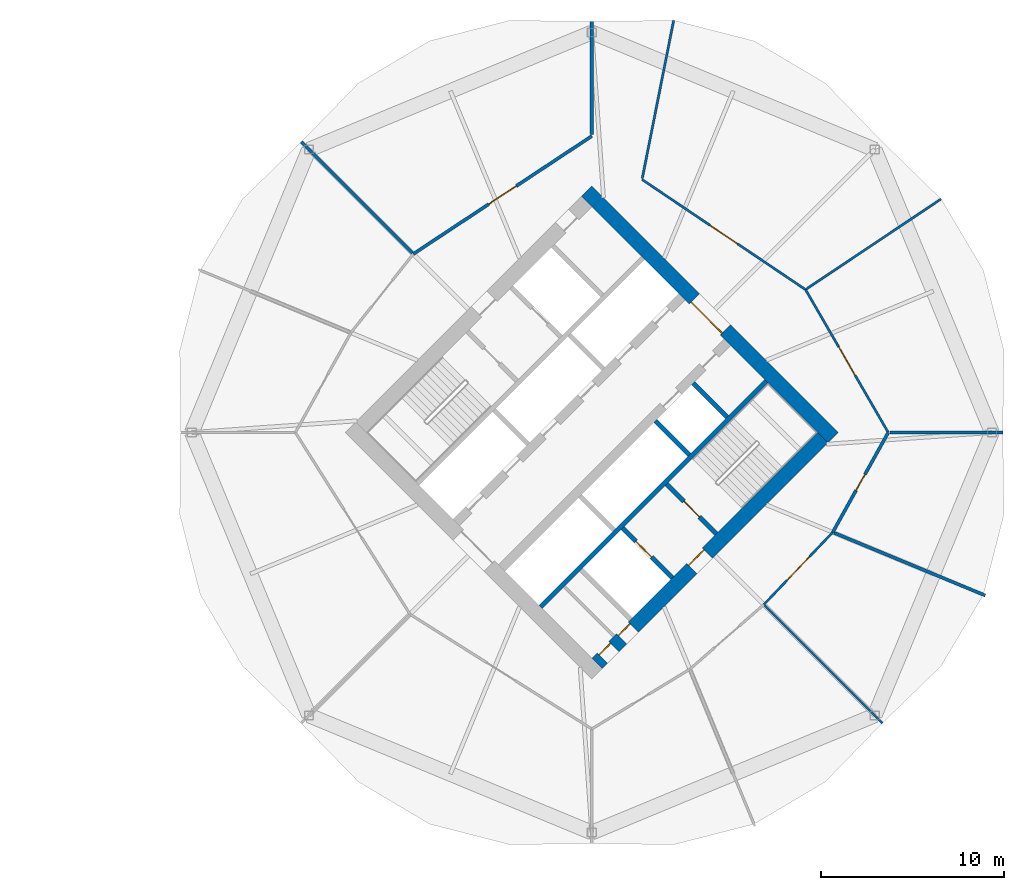
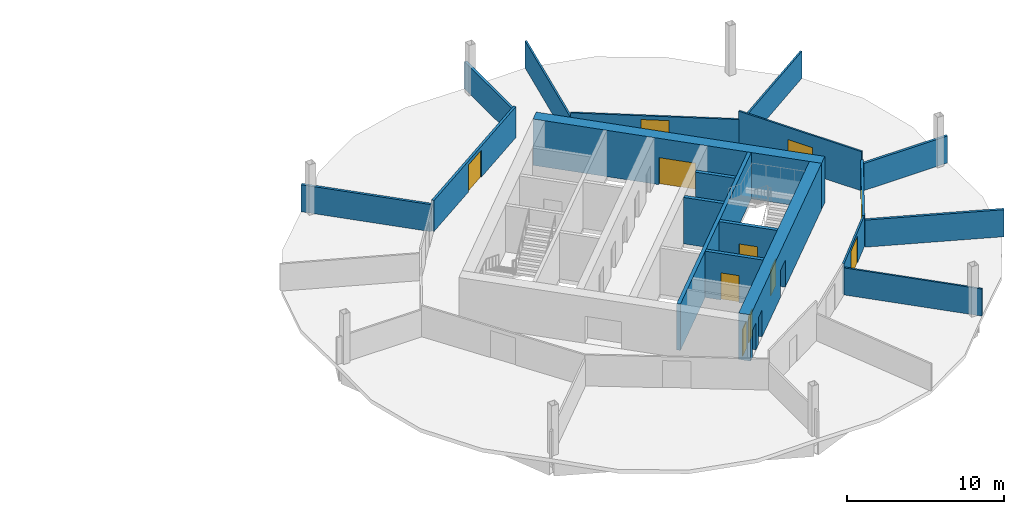
# One storey, part 7 of 9: 19 walls, 11 doors, 11 openings.
"""IFC4 building model written with IfcOpenShell, lengths in metres."""

from ifc_helpers import new_model, si_unit, direction, frame, frame_2d, origin, place, context, subcontext, project, spatial, rectangle, extrude, material, layer, layer_set, type_object, element, fill, save


model = new_model("IFC4")

# Units and contexts
model_context = context("Model", 3, precision=1e-05, world=origin(), true_north=direction((0.0, 1.0)))
body_context = subcontext(model_context, "Body", "Model", "MODEL_VIEW")
ifc_project = project(units=[si_unit("LENGTHUNIT", "METRE"), si_unit("AREAUNIT", "SQUARE_METRE"), si_unit("VOLUMEUNIT", "CUBIC_METRE"), si_unit("PLANEANGLEUNIT", "RADIAN"), si_unit("MASSUNIT", "GRAM", prefix="KILO")], contexts=[model_context])

# Site, building, storey
site_placement = place(None, origin())
site = spatial("IfcSite", under=ifc_project, at=site_placement, CompositionType="ELEMENT")
building_placement = place(site_placement, origin())
building = spatial("IfcBuilding", under=site, at=building_placement, Name="Ogive Gate Towers", CompositionType="ELEMENT")
storey_placement = place(building_placement, frame((0.0, 0.0, 40.199951171875)))
storey = spatial("IfcBuildingStorey", under=building, at=storey_placement, Name="L08", CompositionType="ELEMENT", Elevation=40.199951171875)

# Walls
ifc_material_1 = material(Name="Gypsum board acoustic partition")
ifc_layer_1 = layer(ifc_material_1, 0.175048828125)
ifc_layer_set_1 = layer_set([ifc_layer_1], Name="Acoustic partition 175")
wall_type_1 = type_object("IfcWallType", Name="Acoustic partition 175", PredefinedType="PARTITIONING", material=ifc_layer_set_1)
for number, where, z_axis, x_axis, name in (
    (1, (58.408935546875, 0.0, 0.0), (0.0, 0.0, 1.0), (-1.0, 0.0, 0.0), "Partition T2-L08-001"),
    (2, (36.0, 22.408935546875, 0.0), (0.0, 0.0, 1.0), (0.0, -1.0, 0.0), "Partition T2-L08-004"),
):
    element("IfcWall", number, at=place(storey_placement, frame(where, z_axis=z_axis, x_axis=x_axis)), inside=storey, type_object=wall_type_1, Name=name, PredefinedType="PARTITIONING", context=body_context, shape_type="SweptSolid", body=[
        extrude(rectangle(XDim=6.161376953125, YDim=0.175048828125, at=frame_2d((3.08056640625, 0.0))), origin(), (0.0, 0.0, 1.0), 2.10009765625),
    ])
wall_1_placement = place(storey_placement, frame((20.154296875, 15.845703125, 0.0), z_axis=(0.0, 0.0, 1.0), x_axis=(0.707106781187, -0.707106781187, 0.0)))
element("IfcWall", 3, at=wall_1_placement, inside=storey, type_object=wall_type_1, Name="Partition T2-L08-005", PredefinedType="PARTITIONING", context=body_context, shape_type="SweptSolid", body=[
    extrude(rectangle(XDim=8.557861328125, YDim=0.175048828125, at=frame_2d((4.27880859375, 0.0))), origin(), (0.0, 0.0, 1.0), 2.10009765625),
])
wall_2_placement = place(storey_placement, frame((57.452880859375, -8.885986328125, 0.0), z_axis=(0.0, 0.0, 1.0), x_axis=(-0.923884034118, 0.382672564344, 0.0)))
element("IfcWall", 4, at=wall_2_placement, inside=storey, type_object=wall_type_1, Name="Partition T2-L08-012", PredefinedType="PARTITIONING", context=body_context, shape_type="SweptSolid", body=[
    extrude(rectangle(XDim=8.917724609375, YDim=0.175048828125, at=frame_2d((4.458984375, 0.0))), origin(), (0.0, 0.0, 1.0), 2.10009765625),
])

# Wall, opening, door
wall_3_placement = place(storey_placement, frame((36.0, 16.159912109375, 0.0), z_axis=(0.0, 0.0, 1.0), x_axis=(-0.834464064911, -0.551062359785, 0.0)))
wall_3 = element("IfcWall", 5, at=wall_3_placement, inside=storey, type_object=wall_type_1, Name="Partition T2-L08-013", PredefinedType="PARTITIONING", context=body_context, shape_type="SweptSolid", body=[
    extrude(rectangle(XDim=11.663330078125, YDim=0.175048828125, at=frame_2d((5.83154296875, 0.0))), origin(), (0.0, 0.0, 1.0), 2.400146484375),
])
opening_1_placement = place(wall_3_placement, frame((4.931884765625, 0.0, 0.0)))
opening_1 = element("IfcOpeningElement", 6, at=opening_1_placement, cuts=wall_3, Name="Opening T2-L08-D01", PredefinedType="OPENING", context=body_context, shape_type="SweptSolid", body=[
    extrude(rectangle(XDim=1.800048828125, YDim=2.10009765625, at=frame_2d((0.89990234375, 1.050048828125))), frame((0.0, 0.09765625, 0.0), z_axis=(0.0, -1.0, 0.0), x_axis=(1.0, 0.0, 0.0)), (0.0, 0.0, 1.0), 0.195068359375),
])
ifc_material_2 = material(Name="Timber door", Category="wood")
door_type_1 = type_object("IfcDoorType", Name="Door pair 1800", OperationType="NOTDEFINED", PredefinedType="DOOR", material=ifc_material_2)
door_1_placement = place(opening_1_placement, origin())
door_1 = element("IfcDoor", 7, at=door_1_placement, inside=storey, type_object=door_type_1, Name="Door T2-L08-D01", OperationType="DOUBLE_DOOR_DOUBLE_SWING", OverallHeight=2.10009765625, OverallWidth=1.800048828125, PredefinedType="DOOR", context=body_context, shape_type="SweptSolid", body=[
    extrude(rectangle(XDim=1.800048828125, YDim=2.10009765625, at=frame_2d((0.89990234375, 1.050048828125))), frame((0.0, 0.02490234375, 0.0), z_axis=(0.0, -1.0, 0.0), x_axis=(1.0, 0.0, 0.0)), (0.0, 0.0, 1.0), 0.050048828125),
])
fill(opening_1, door_1)

wall_4_placement = place(storey_placement, frame((49.133056640625, -5.43994140625, 0.0), z_axis=(0.0, 0.0, 1.0), x_axis=(0.486215546884, 0.873838910766, 0.0)))
wall_4 = element("IfcWall", 8, at=wall_4_placement, inside=storey, type_object=wall_type_1, Name="Partition T2-L08-021", PredefinedType="PARTITIONING", context=body_context, shape_type="SweptSolid", body=[
    extrude(rectangle(XDim=6.225341796875, YDim=0.175048828125, at=frame_2d((3.11279296875, 0.0))), origin(), (0.0, 0.0, 1.0), 2.400146484375),
])
opening_2_placement = place(wall_4_placement, frame((2.613037109375, 0.0, 0.0)))
opening_2 = element("IfcOpeningElement", 9, at=opening_2_placement, cuts=wall_4, Name="Opening T2-L08-D09", PredefinedType="OPENING", context=body_context, shape_type="SweptSolid", body=[
    extrude(rectangle(XDim=1.0, YDim=2.10009765625, at=frame_2d((0.5, 1.050048828125))), frame((0.0, 0.09765625, 0.0), z_axis=(0.0, -1.0, 0.0), x_axis=(1.0, 0.0, 0.0)), (0.0, 0.0, 1.0), 0.195068359375),
])
door_type_2 = type_object("IfcDoorType", Name="Door 1000", OperationType="NOTDEFINED", PredefinedType="DOOR", material=ifc_material_2)
door_2_placement = place(opening_2_placement, origin())
door_2 = element("IfcDoor", 10, at=door_2_placement, inside=storey, type_object=door_type_2, Name="Door T2-L08-D09", OperationType="SINGLE_SWING_RIGHT", OverallHeight=2.10009765625, OverallWidth=1.0, PredefinedType="DOOR", context=body_context, shape_type="SweptSolid", body=[
    extrude(rectangle(XDim=1.0, YDim=2.10009765625, at=frame_2d((0.5, 1.050048828125))), frame((0.0, 0.02490234375, 0.0), z_axis=(0.0, -1.0, 0.0), x_axis=(1.0, 0.0, 0.0)), (0.0, 0.0, 1.0), 0.050048828125),
])
fill(opening_2, door_2)

# Wall, openings, doors
ifc_material_3 = material(Name="Concrete C60/75", Category="concrete")
ifc_layer_2 = layer(ifc_material_3, 0.800048828125)
ifc_layer_set_2 = layer_set([ifc_layer_2], Name="Core wall 800 mm")
wall_type_2 = type_object("IfcWallType", Name="Core wall 800 mm", PredefinedType="SHEAR", material=ifc_layer_set_2)
wall_5_placement = place(storey_placement, frame((36.28271484375, -12.58642578125, 0.0), z_axis=(0.0, 0.0, 1.0), x_axis=(0.707106781187, 0.707106781187, 0.0)))
wall_5 = element("IfcWall", 11, at=wall_5_placement, inside=storey, type_object=wall_type_2, Name="T2 L08 Core wall 800 mm", PredefinedType="SHEAR", context=body_context, shape_type="SweptSolid", body=[
    extrude(rectangle(XDim=17.400146484375, YDim=0.800048828125, at=frame_2d((8.7001953125, 0.0))), origin(), (0.0, 0.0, 1.0), 3.60009765625),
])
opening_3_placement = place(wall_5_placement, frame((7.300048828125, 0.0, 0.0)))
opening_3 = element("IfcOpeningElement", 12, at=opening_3_placement, cuts=wall_5, Name="Opening KD-T2-L08-16", PredefinedType="OPENING", context=body_context, shape_type="SweptSolid", body=[
    extrude(rectangle(XDim=1.199951171875, YDim=2.10009765625, at=frame_2d((0.60009765625, 1.050048828125))), frame((0.0, 0.41015625, 0.0), z_axis=(0.0, -1.0, 0.0), x_axis=(1.0, 0.0, 0.0)), (0.0, 0.0, 1.0), 0.820068359375),
])
opening_4_placement = place(wall_5_placement, frame((0.39990234375, 0.0, 0.0)))
opening_4 = element("IfcOpeningElement", 13, at=opening_4_placement, cuts=wall_5, Name="Opening KD-T2-L08-18", PredefinedType="OPENING", context=body_context, shape_type="SweptSolid", body=[
    extrude(rectangle(XDim=0.89990234375, YDim=2.10009765625, at=frame_2d((0.449951171875, 1.050048828125))), frame((0.0, 0.41015625, 0.0), z_axis=(0.0, -1.0, 0.0), x_axis=(1.0, 0.0, 0.0)), (0.0, 0.0, 1.0), 0.820068359375),
])
opening_5_placement = place(wall_5_placement, frame((1.89990234375, 0.0, 0.0)))
opening_5 = element("IfcOpeningElement", 14, at=opening_5_placement, cuts=wall_5, Name="Opening KD-T2-L08-19", PredefinedType="OPENING", context=body_context, shape_type="SweptSolid", body=[
    extrude(rectangle(XDim=0.89990234375, YDim=2.10009765625, at=frame_2d((0.449951171875, 1.050048828125))), frame((0.0, 0.41015625, 0.0), z_axis=(0.0, -1.0, 0.0), x_axis=(1.0, 0.0, 0.0)), (0.0, 0.0, 1.0), 0.820068359375),
])
door_type_3 = type_object("IfcDoorType", Name="Core WC door 900 x 2100", OperationType="NOTDEFINED", PredefinedType="DOOR", material=ifc_material_2)
door_3_placement = place(opening_4_placement, origin())
door_3 = element("IfcDoor", 15, at=door_3_placement, inside=storey, type_object=door_type_3, Name="T2 L08 Core door", OperationType="SINGLE_SWING_LEFT", OverallHeight=2.10009765625, OverallWidth=0.89990234375, PredefinedType="DOOR", context=body_context, shape_type="SweptSolid", body=[
    extrude(rectangle(XDim=0.89990234375, YDim=2.10009765625, at=frame_2d((0.449951171875, 1.050048828125))), frame((0.0, 0.27490234375, 0.0), z_axis=(0.0, -1.0, 0.0), x_axis=(1.0, 0.0, 0.0)), (0.0, 0.0, 1.0), 0.050048828125),
])
fill(opening_4, door_3)
door_4_placement = place(opening_5_placement, origin())
door_4 = element("IfcDoor", 16, at=door_4_placement, inside=storey, type_object=door_type_3, Name="T2 L08 Core door", OperationType="SINGLE_SWING_RIGHT", OverallHeight=2.10009765625, OverallWidth=0.89990234375, PredefinedType="DOOR", context=body_context, shape_type="SweptSolid", body=[
    extrude(rectangle(XDim=0.89990234375, YDim=2.10009765625, at=frame_2d((0.449951171875, 1.050048828125))), frame((0.0, 0.27490234375, 0.0), z_axis=(0.0, -1.0, 0.0), x_axis=(1.0, 0.0, 0.0)), (0.0, 0.0, 1.0), 0.050048828125),
])
fill(opening_5, door_4)
ifc_material_4 = material(Name="Steel fire door", Category="steel")
door_type_4 = type_object("IfcDoorType", Name="Core door FD60S 1200 x 2100", OperationType="NOTDEFINED", PredefinedType="DOOR", material=ifc_material_4)
door_5_placement = place(opening_3_placement, origin())
door_5 = element("IfcDoor", 17, at=door_5_placement, inside=storey, type_object=door_type_4, Name="T2 L08 Fire-fighting lobby door", OperationType="SINGLE_SWING_LEFT", OverallHeight=2.10009765625, OverallWidth=1.199951171875, PredefinedType="DOOR", context=body_context, shape_type="SweptSolid", body=[
    extrude(rectangle(XDim=1.199951171875, YDim=2.10009765625, at=frame_2d((0.60009765625, 1.050048828125))), frame((0.0, 0.27490234375, 0.0), z_axis=(0.0, -1.0, 0.0), x_axis=(1.0, 0.0, 0.0)), (0.0, 0.0, 1.0), 0.050048828125),
])
fill(opening_3, door_5)

# Wall, opening, door
wall_6_placement = place(storey_placement, frame((49.152099609375, -0.28271484375, 0.0), z_axis=(0.0, 0.0, 1.0), x_axis=(-0.707106781187, 0.707106781187, 0.0)))
wall_6 = element("IfcWall", 18, at=wall_6_placement, inside=storey, type_object=wall_type_2, Name="T2 L08 Core wall 800 mm", PredefinedType="SHEAR", context=body_context, shape_type="SweptSolid", body=[
    extrude(rectangle(XDim=18.999755859375, YDim=0.800048828125, at=frame_2d((9.5, 0.0))), origin(), (0.0, 0.0, 1.0), 3.60009765625),
])
opening_6_placement = place(wall_6_placement, frame((8.300048828125, 0.0, 0.0)))
opening_6 = element("IfcOpeningElement", 19, at=opening_6_placement, cuts=wall_6, Name="Opening KD-T2-L08-02", PredefinedType="OPENING", context=body_context, shape_type="SweptSolid", body=[
    extrude(rectangle(XDim=2.39990234375, YDim=2.10009765625, at=frame_2d((1.199951171875, 1.050048828125))), frame((0.0, 0.41015625, 0.0), z_axis=(0.0, -1.0, 0.0), x_axis=(1.0, 0.0, 0.0)), (0.0, 0.0, 1.0), 0.820068359375),
])
door_type_5 = type_object("IfcDoorType", Name="Core double door FD60S 2400 x 2100", OperationType="DOUBLE_DOOR_SINGLE_SWING", PredefinedType="DOOR", material=ifc_material_4)
door_6_placement = place(opening_6_placement, origin())
door_6 = element("IfcDoor", 20, at=door_6_placement, inside=storey, type_object=door_type_5, Name="T2 L08 Core door double", OperationType="DOUBLE_DOOR_SINGLE_SWING", OverallHeight=2.10009765625, OverallWidth=2.39990234375, PredefinedType="DOOR", context=body_context, shape_type="SweptSolid", body=[
    extrude(rectangle(XDim=2.39990234375, YDim=2.10009765625, at=frame_2d((1.199951171875, 1.050048828125))), frame((0.0, 0.27490234375, 0.0), z_axis=(0.0, -1.0, 0.0), x_axis=(1.0, 0.0, 0.0)), (0.0, 0.0, 1.0), 0.050048828125),
])
fill(opening_6, door_6)

# Walls
ifc_material_5 = material(Name="Gypsum board partition")
ifc_layer_3 = layer(ifc_material_5, 0.125)
ifc_layer_set_3 = layer_set([ifc_layer_3], Name="Partition 125")
wall_type_3 = type_object("IfcWallType", Name="Partition 125", PredefinedType="PARTITIONING", material=ifc_layer_set_3)
wall_7_placement = place(storey_placement, frame((55.044189453125, 12.734375, 0.0), z_axis=(0.0, 0.0, 1.0), x_axis=(-0.831275536351, -0.555860578441, 0.0)))
element("IfcWall", 21, at=wall_7_placement, inside=storey, type_object=wall_type_3, Name="Partition T2-L08-002", PredefinedType="PARTITIONING", context=body_context, shape_type="SweptSolid", body=[
    extrude(rectangle(XDim=8.83251953125, YDim=0.125, at=frame_2d((4.416259765625, 0.0))), origin(), (0.0, 0.0, 1.0), 2.10009765625),
])
wall_8_placement = place(storey_placement, frame((40.461669921875, 22.470947265625, 0.0), z_axis=(0.0, 0.0, 1.0), x_axis=(-0.194753354147, -0.980852247308, 0.0)))
element("IfcWall", 22, at=wall_8_placement, inside=storey, type_object=wall_type_3, Name="Partition T2-L08-003", PredefinedType="PARTITIONING", context=body_context, shape_type="SweptSolid", body=[
    extrude(rectangle(XDim=8.786376953125, YDim=0.125, at=frame_2d((4.39306640625, 0.0))), origin(), (0.0, 0.0, 1.0), 2.10009765625),
])
wall_9_placement = place(storey_placement, frame((51.845703125, -15.845703125, 0.0), z_axis=(0.0, 0.0, 1.0), x_axis=(-0.707106781187, 0.707106781187, 0.0)))
element("IfcWall", 23, at=wall_9_placement, inside=storey, type_object=wall_type_3, Name="Partition T2-L08-011", PredefinedType="PARTITIONING", context=body_context, shape_type="SweptSolid", body=[
    extrude(rectangle(XDim=9.08251953125, YDim=0.125, at=frame_2d((4.541259765625, 0.0))), origin(), (0.0, 0.0, 1.0), 2.10009765625),
])

# Wall, opening, door
wall_10_placement = place(storey_placement, frame((45.379150390625, -9.379150390625, 0.0), z_axis=(0.0, 0.0, 1.0), x_axis=(0.689874727508, 0.723928767452, 0.0)))
wall_10 = element("IfcWall", 24, at=wall_10_placement, inside=storey, type_object=wall_type_3, Name="Partition T2-L08-020", PredefinedType="PARTITIONING", context=body_context, shape_type="SweptSolid", body=[
    extrude(rectangle(XDim=5.44140625, YDim=0.125, at=frame_2d((2.720703125, 0.0))), origin(), (0.0, 0.0, 1.0), 2.400146484375),
])
opening_7_placement = place(wall_10_placement, frame((1.821044921875, 0.0, 0.0)))
opening_7 = element("IfcOpeningElement", 25, at=opening_7_placement, cuts=wall_10, Name="Opening T2-L08-D08", PredefinedType="OPENING", context=body_context, shape_type="SweptSolid", body=[
    extrude(rectangle(XDim=1.800048828125, YDim=2.10009765625, at=frame_2d((0.89990234375, 1.050048828125))), frame((0.0, 0.072509765625, 0.0), z_axis=(0.0, -1.0, 0.0), x_axis=(1.0, 0.0, 0.0)), (0.0, 0.0, 1.0), 0.14501953125),
])
door_7_placement = place(opening_7_placement, origin())
door_7 = element("IfcDoor", 26, at=door_7_placement, inside=storey, type_object=door_type_1, Name="Door T2-L08-D08", OperationType="DOUBLE_DOOR_DOUBLE_SWING", OverallHeight=2.10009765625, OverallWidth=1.800048828125, PredefinedType="DOOR", context=body_context, shape_type="SweptSolid", body=[
    extrude(rectangle(XDim=1.800048828125, YDim=2.10009765625, at=frame_2d((0.89990234375, 1.050048828125))), frame((0.0, 0.02490234375, 0.0), z_axis=(0.0, -1.0, 0.0), x_axis=(1.0, 0.0, 0.0)), (0.0, 0.0, 1.0), 0.050048828125),
])
fill(opening_7, door_7)

wall_11_placement = place(storey_placement, frame((52.159912109375, 0.0, 0.0), z_axis=(0.0, 0.0, 1.0), x_axis=(-0.501035201394, 0.86542690446, 0.0)))
wall_11 = element("IfcWall", 27, at=wall_11_placement, inside=storey, type_object=wall_type_3, Name="Partition T2-L08-022", PredefinedType="PARTITIONING", context=body_context, shape_type="SweptSolid", body=[
    extrude(rectangle(XDim=9.00146484375, YDim=0.125, at=frame_2d((4.500732421875, 0.0))), origin(), (0.0, 0.0, 1.0), 3.050048828125),
])
opening_8_placement = place(wall_11_placement, frame((3.60107421875, 0.0, 0.0)))
opening_8 = element("IfcOpeningElement", 28, at=opening_8_placement, cuts=wall_11, Name="Opening T2-L08-D10", PredefinedType="OPENING", context=body_context, shape_type="SweptSolid", body=[
    extrude(rectangle(XDim=1.800048828125, YDim=2.10009765625, at=frame_2d((0.89990234375, 1.050048828125))), frame((0.0, 0.072509765625, 0.0), z_axis=(0.0, -1.0, 0.0), x_axis=(1.0, 0.0, 0.0)), (0.0, 0.0, 1.0), 0.14501953125),
])
door_8_placement = place(opening_8_placement, origin())
door_8 = element("IfcDoor", 29, at=door_8_placement, inside=storey, type_object=door_type_1, Name="Door T2-L08-D10", OperationType="DOUBLE_DOOR_DOUBLE_SWING", OverallHeight=2.10009765625, OverallWidth=1.800048828125, PredefinedType="DOOR", context=body_context, shape_type="SweptSolid", body=[
    extrude(rectangle(XDim=1.800048828125, YDim=2.10009765625, at=frame_2d((0.89990234375, 1.050048828125))), frame((0.0, 0.02490234375, 0.0), z_axis=(0.0, -1.0, 0.0), x_axis=(1.0, 0.0, 0.0)), (0.0, 0.0, 1.0), 0.050048828125),
])
fill(opening_8, door_8)

wall_12_placement = place(storey_placement, frame((47.64990234375, 7.7900390625, 0.0), z_axis=(0.0, 0.0, 1.0), x_axis=(-0.829447240364, 0.558585065548, 0.0)))
wall_12 = element("IfcWall", 30, at=wall_12_placement, inside=storey, type_object=wall_type_3, Name="Partition T2-L08-023", PredefinedType="PARTITIONING", context=body_context, shape_type="SweptSolid", body=[
    extrude(rectangle(XDim=10.744140625, YDim=0.125, at=frame_2d((5.3720703125, 0.0))), origin(), (0.0, 0.0, 1.0), 2.400146484375),
])
opening_9_placement = place(wall_12_placement, frame((4.471923828125, 0.0, 0.0)))
opening_9 = element("IfcOpeningElement", 31, at=opening_9_placement, cuts=wall_12, Name="Opening T2-L08-D11", PredefinedType="OPENING", context=body_context, shape_type="SweptSolid", body=[
    extrude(rectangle(XDim=1.800048828125, YDim=2.10009765625, at=frame_2d((0.89990234375, 1.050048828125))), frame((0.0, 0.072509765625, 0.0), z_axis=(0.0, -1.0, 0.0), x_axis=(1.0, 0.0, 0.0)), (0.0, 0.0, 1.0), 0.14501953125),
])
door_9_placement = place(opening_9_placement, origin())
door_9 = element("IfcDoor", 32, at=door_9_placement, inside=storey, type_object=door_type_1, Name="Door T2-L08-D11", OperationType="DOUBLE_DOOR_DOUBLE_SWING", OverallHeight=2.10009765625, OverallWidth=1.800048828125, PredefinedType="DOOR", context=body_context, shape_type="SweptSolid", body=[
    extrude(rectangle(XDim=1.800048828125, YDim=2.10009765625, at=frame_2d((0.89990234375, 1.050048828125))), frame((0.0, 0.02490234375, 0.0), z_axis=(0.0, -1.0, 0.0), x_axis=(1.0, 0.0, 0.0)), (0.0, 0.0, 1.0), 0.050048828125),
])
fill(opening_9, door_9)

# Wall
ifc_layer_4 = layer(ifc_material_3, 0.25)
ifc_layer_set_4 = layer_set([ifc_layer_4], Name="Shaft wall 250 mm")
wall_type_4 = type_object("IfcWallType", Name="Shaft wall 250 mm", PredefinedType="SHEAR", material=ifc_layer_set_4)
wall_13_placement = place(storey_placement, frame((33.206787109375, -9.510498046875, 0.0), z_axis=(0.0, 0.0, 1.0), x_axis=(0.707106781187, 0.707106781187, 0.0)))
element("IfcWall", 33, at=wall_13_placement, inside=storey, type_object=wall_type_4, Name="T2 L08 Shaft wall 250 mm", PredefinedType="SHEAR", context=body_context, shape_type="SweptSolid", body=[
    extrude(rectangle(XDim=17.400146484375, YDim=0.25, at=frame_2d((8.7001953125, 0.0))), origin(), (0.0, 0.0, 1.0), 3.60009765625),
])

# Wall, opening, door
wall_14_placement = place(storey_placement, frame((40.384033203125, -7.919677734375, 0.0), z_axis=(0.0, 0.0, 1.0), x_axis=(-0.707074866995, 0.707138693938, 0.0)))
wall_14 = element("IfcWall", 34, at=wall_14_placement, inside=storey, type_object=wall_type_4, Name="T2 L08 Shaft wall 250 mm", PredefinedType="SHEAR", context=body_context, shape_type="SweptSolid", body=[
    extrude(rectangle(XDim=3.824951171875, YDim=0.25, at=frame_2d((1.91259765625, 0.0))), origin(), (0.0, 0.0, 1.0), 3.60009765625),
])
opening_10_placement = place(wall_14_placement, frame((1.60009765625, 0.0, 0.0)))
opening_10 = element("IfcOpeningElement", 35, at=opening_10_placement, cuts=wall_14, Name="Opening LD-T2-L08-11", PredefinedType="OPENING", context=body_context, shape_type="SweptSolid", body=[
    extrude(rectangle(XDim=1.199951171875, YDim=2.10009765625, at=frame_2d((0.60009765625, 1.050048828125))), frame((0.0, 0.135009765625, 0.0), z_axis=(0.0, -1.0, 0.0), x_axis=(1.0, 0.0, 0.0)), (0.0, 0.0, 1.0), 0.27001953125),
])
ifc_material_6 = material(Name="Stainless steel landing door", Category="steel")
door_type_6 = type_object("IfcDoorType", Name="Landing door 1200 x 2100", OperationType="SLIDING_TO_LEFT", PredefinedType="DOOR", material=ifc_material_6)
door_10_placement = place(opening_10_placement, origin())
door_10 = element("IfcDoor", 36, at=door_10_placement, inside=storey, type_object=door_type_6, Name="T2 L08 Lift landing door FF2", OperationType="SLIDING_TO_LEFT", OverallHeight=2.10009765625, OverallWidth=1.199951171875, PredefinedType="DOOR", context=body_context, shape_type="SweptSolid", body=[
    extrude(rectangle(XDim=1.199951171875, YDim=2.10009765625, at=frame_2d((0.60009765625, 1.050048828125))), frame((0.0, 0.02490234375, 0.0), z_axis=(0.0, -1.0, 0.0), x_axis=(1.0, 0.0, 0.0)), (0.0, 0.0, 1.0), 0.050048828125),
])
fill(opening_10, door_10)

wall_15_placement = place(storey_placement, frame((42.7880859375, -5.515380859375, 0.0), z_axis=(0.0, 0.0, 1.0), x_axis=(-0.707106781187, 0.707106781187, 0.0)))
wall_15 = element("IfcWall", 37, at=wall_15_placement, inside=storey, type_object=wall_type_4, Name="T2 L08 Shaft wall 250 mm", PredefinedType="SHEAR", context=body_context, shape_type="SweptSolid", body=[
    extrude(rectangle(XDim=3.824951171875, YDim=0.25, at=frame_2d((1.91259765625, 0.0))), origin(), (0.0, 0.0, 1.0), 3.60009765625),
])
opening_11_placement = place(wall_15_placement, frame((1.300048828125, 0.0, 0.0)))
opening_11 = element("IfcOpeningElement", 38, at=opening_11_placement, cuts=wall_15, Name="Opening KD-T2-L08-14", PredefinedType="OPENING", context=body_context, shape_type="SweptSolid", body=[
    extrude(rectangle(XDim=1.199951171875, YDim=2.10009765625, at=frame_2d((0.60009765625, 1.050048828125))), frame((0.0, 0.135009765625, 0.0), z_axis=(0.0, -1.0, 0.0), x_axis=(1.0, 0.0, 0.0)), (0.0, 0.0, 1.0), 0.27001953125),
])
door_11_placement = place(opening_11_placement, origin())
door_11 = element("IfcDoor", 39, at=door_11_placement, inside=storey, type_object=door_type_4, Name="T2 L08 Stair door", OperationType="SINGLE_SWING_LEFT", OverallHeight=2.10009765625, OverallWidth=1.199951171875, PredefinedType="DOOR", context=body_context, shape_type="SweptSolid", body=[
    extrude(rectangle(XDim=1.199951171875, YDim=2.10009765625, at=frame_2d((0.60009765625, 1.050048828125))), frame((0.0, 0.02490234375, 0.0), z_axis=(0.0, -1.0, 0.0), x_axis=(1.0, 0.0, 0.0)), (0.0, 0.0, 1.0), 0.050048828125),
])
fill(opening_11, door_11)

# Walls
for number, where, z_axis, x_axis, name in (
    (40, (41.321044921875, -1.2197265625, 0.0), (0.0, 0.0, 1.0), (-0.707106781187, 0.707106781187, 0.0), "T2 L08 Shaft wall 250 mm"),
    (41, (43.37158203125, 0.830810546875, 0.0), (0.0, 0.0, 1.0), (-0.707106781187, 0.707106781187, 0.0), "T2 L08 Shaft wall 250 mm"),
):
    element("IfcWall", number, at=place(storey_placement, frame(where, z_axis=z_axis, x_axis=x_axis)), inside=storey, type_object=wall_type_4, Name=name, PredefinedType="SHEAR", context=body_context, shape_type="SweptSolid", body=[
        extrude(rectangle(XDim=2.625, YDim=0.25, at=frame_2d((1.3125, 0.0))), origin(), (0.0, 0.0, 1.0), 3.60009765625),
    ])

save(model, "model.ifc")
